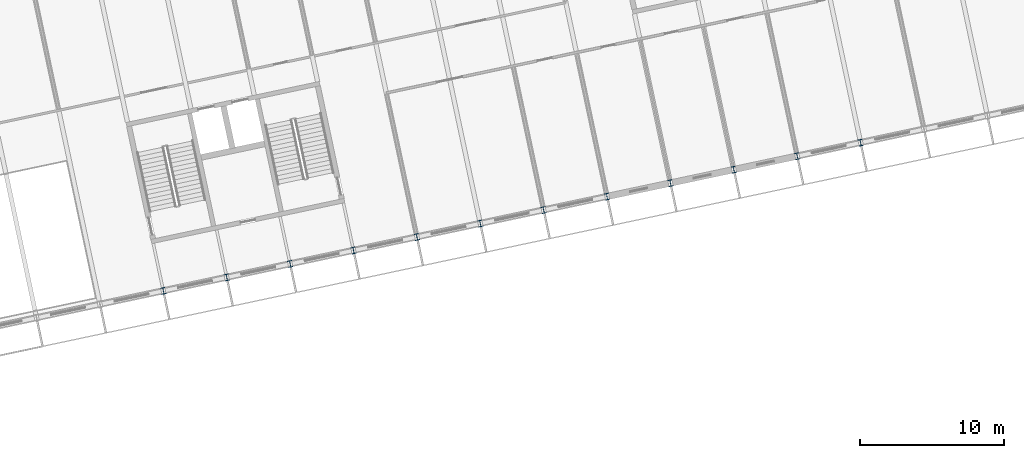
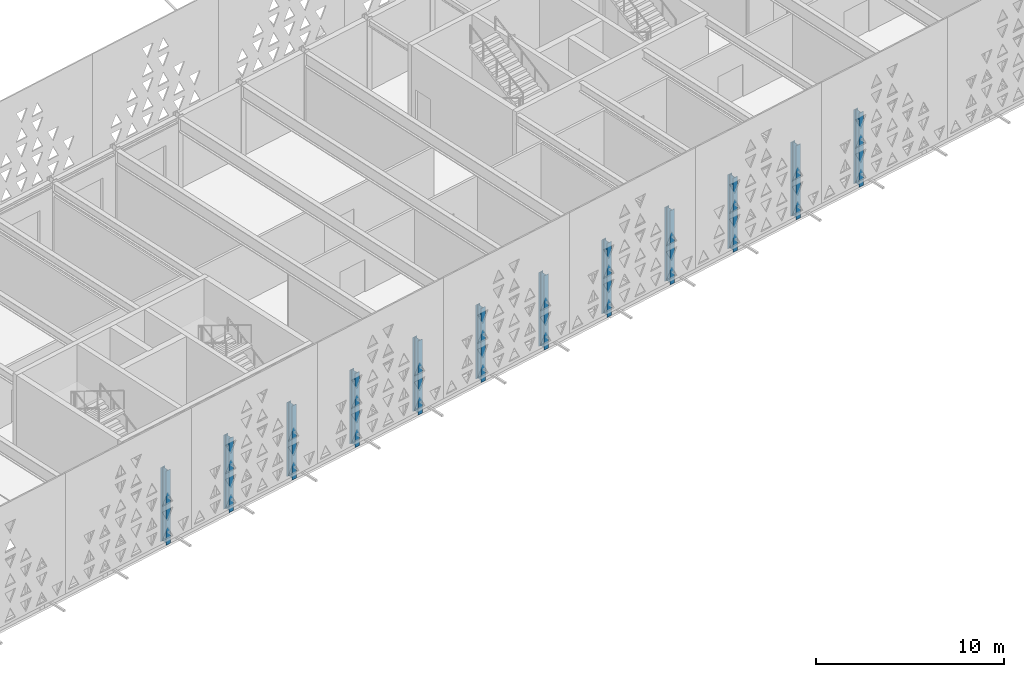
# One storey, part 11 of 196: 12 columns.
"""IFC4 building model written with IfcOpenShell, lengths in metres."""

from ifc_helpers import new_model, si_unit, direction, frame, origin, origin_2d, place, context, subcontext, project, spatial, i_section, extrude, material, material_profile, profile_set, type_object, element, save


model = new_model("IFC4")

# Units and contexts
model_context = context("Model", 3, precision=1e-05, world=origin(), true_north=direction((0.0, 1.0)))
body_context = subcontext(model_context, "Body", "Model", "MODEL_VIEW")
ifc_project = project(units=[si_unit("LENGTHUNIT", "METRE"), si_unit("AREAUNIT", "SQUARE_METRE"), si_unit("VOLUMEUNIT", "CUBIC_METRE"), si_unit("PLANEANGLEUNIT", "RADIAN"), si_unit("MASSUNIT", "GRAM", prefix="KILO")], contexts=[model_context])

# Site, building, storey
site_placement = place(None, origin())
site = spatial("IfcSite", under=ifc_project, at=site_placement, CompositionType="ELEMENT")
building_placement = place(site_placement, origin())
building = spatial("IfcBuilding", under=site, at=building_placement, Name="Okhra Congress Centre", CompositionType="ELEMENT")
storey_placement = place(building_placement, frame((0.0, 0.0, 12.0)))
storey = spatial("IfcBuildingStorey", under=building, at=storey_placement, Name="L02", CompositionType="ELEMENT", Elevation=12.0)

# Columns
ifc_material = material(Name="Steel S355J2", Category="steel")
ifc_material_profile = material_profile(ifc_material, i_section(OverallWidth=0.300048828125, OverallDepth=0.449951171875, WebThickness=0.013916015625, FlangeThickness=0.02587890625, FilletRadius=0.027099609375, at=origin_2d()), Name="HE 450 B")
ifc_profile_set = profile_set([ifc_material_profile], Name="Steel S355J2")
column_type = type_object("IfcColumnType", Name="Steel post HE 450 B", PredefinedType="COLUMN", material=ifc_profile_set)
for number, where, z_axis, x_axis, name in (
    (1, (135.83935546875, 42.714599609375, 0.0), (0.0, 0.0, 1.0), (0.978147600734, 0.207911690818, 0.0), "Post S18"),
    (2, (140.240966796875, 43.650146484375, 0.0), (0.0, 0.0, 1.0), (0.978147600734, 0.207911690818, 0.0), "Post S19"),
    (3, (144.642578125, 44.585693359375, 0.0), (0.0, 0.0, 1.0), (0.978147600734, 0.207911690818, 0.0), "Post S20"),
    (4, (149.044189453125, 45.521240234375, 0.0), (0.0, 0.0, 1.0), (0.978147600734, 0.207911690818, 0.0), "Post S21"),
    (5, (153.446044921875, 46.456787109375, 0.0), (0.0, 0.0, 1.0), (0.978147600734, 0.207911690818, 0.0), "Post S22"),
    (6, (157.84765625, 47.392578125, 0.0), (0.0, 0.0, 1.0), (0.978147600734, 0.207911690818, 0.0), "Post S23"),
    (7, (162.249267578125, 48.328125, 0.0), (0.0, 0.0, 1.0), (0.978147600734, 0.207911690818, 0.0), "Post S24"),
    (8, (166.65087890625, 49.263671875, 0.0), (0.0, 0.0, 1.0), (0.978147600734, 0.207911690818, 0.0), "Post S25"),
    (9, (171.052490234375, 50.19921875, 0.0), (0.0, 0.0, 1.0), (0.978147600734, 0.207911690818, 0.0), "Post S26"),
    (10, (175.454345703125, 51.135009765625, 0.0), (0.0, 0.0, 1.0), (0.978147600734, 0.207911690818, 0.0), "Post S27"),
    (11, (179.85595703125, 52.070556640625, 0.0), (0.0, 0.0, 1.0), (0.978147600734, 0.207911690818, 0.0), "Post S28"),
    (12, (184.257568359375, 53.006103515625, 0.0), (0.0, 0.0, 1.0), (0.978147600734, 0.207911690818, 0.0), "Post S29"),
):
    element("IfcColumn", number, at=place(storey_placement, frame(where, z_axis=z_axis, x_axis=x_axis)), inside=storey, type_object=column_type, Name=name, PredefinedType="COLUMN", context=body_context, shape_type="SweptSolid", body=[
        extrude(i_section(OverallWidth=0.300048828125, OverallDepth=0.449951171875, WebThickness=0.013916015625, FlangeThickness=0.02587890625, FilletRadius=0.027099609375, at=origin_2d()), origin(), (0.0, 0.0, 1.0), 4.800048828125),
    ])

save(model, "model.ifc")
